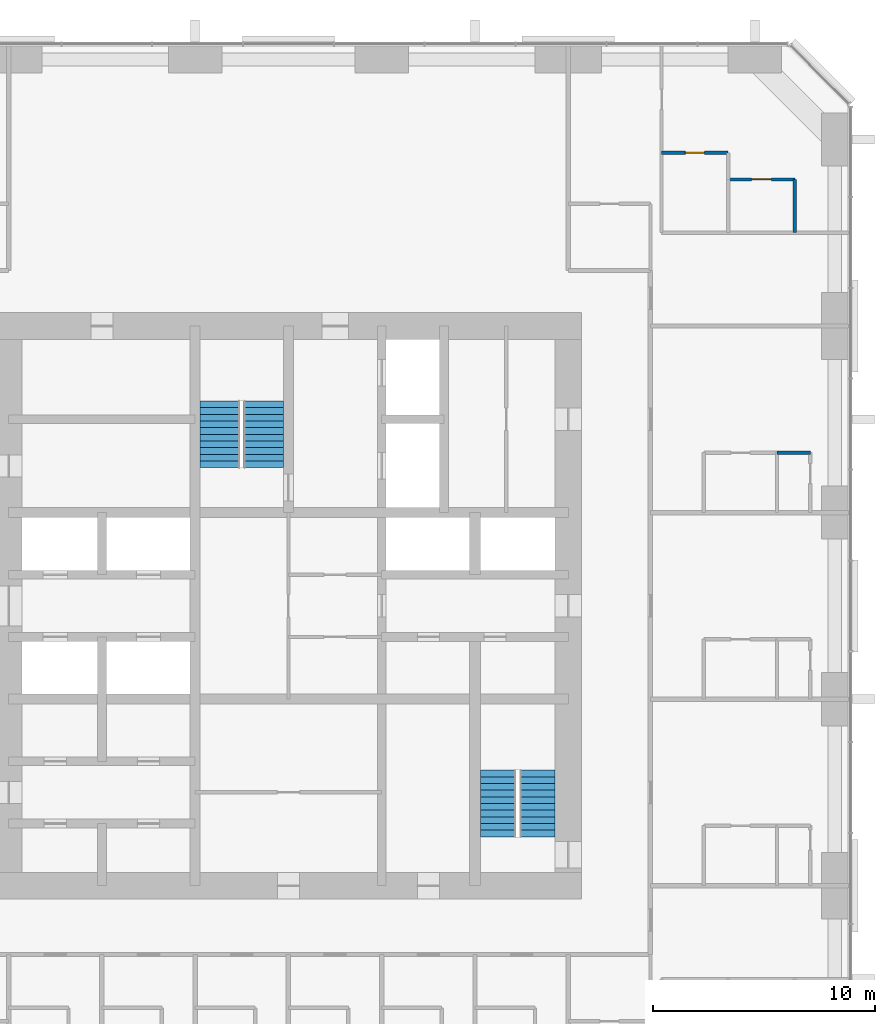
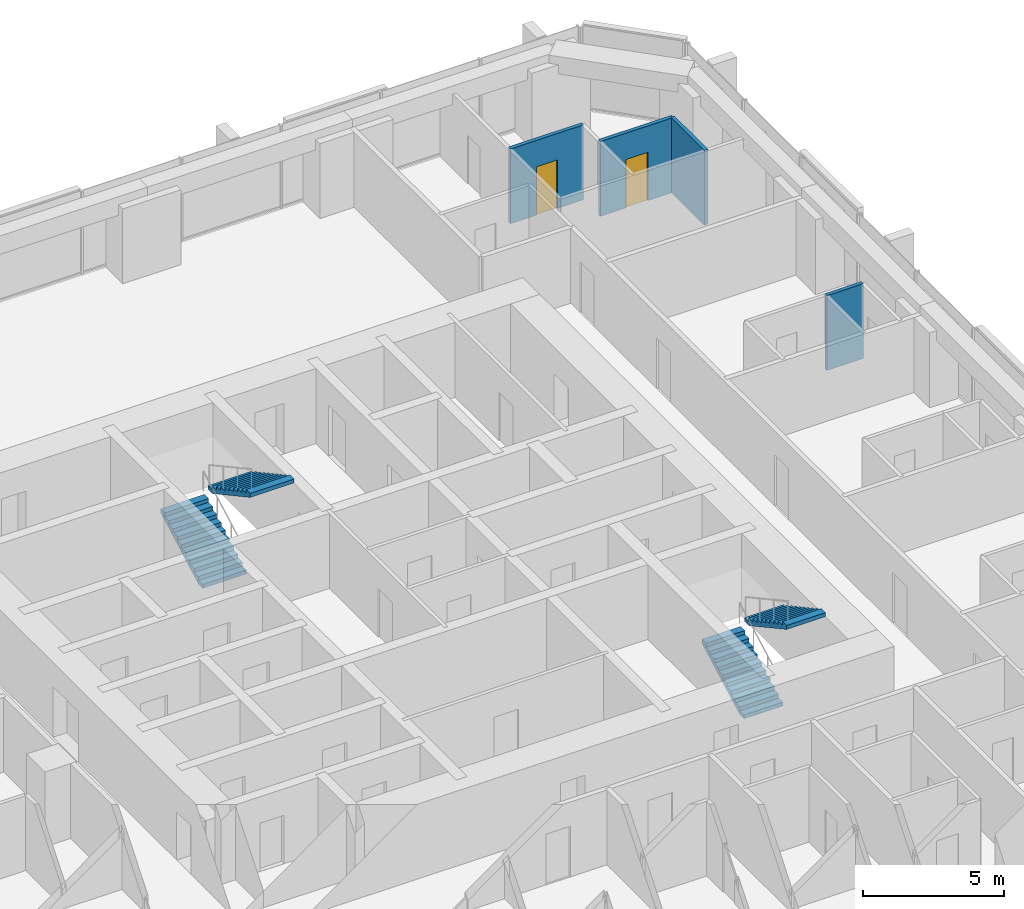
# One storey, part 13 of 14: 4 stair flights, 4 walls, 2 doors, 2 openings, 2 elements without a shape of their own.
"""IFC4 building model written with IfcOpenShell, lengths in metres."""

from ifc_helpers import new_model, si_unit, direction, frame, frame_2d, origin, place, context, subcontext, project, spatial, polyline, rectangle, outline, extrude, material, layer, layer_set, type_object, element, fill, aggregate, save


model = new_model("IFC4")

# Units and contexts
model_context = context("Model", 3, precision=1e-05, world=origin(), true_north=direction((0.0, 1.0)))
body_context = subcontext(model_context, "Body", "Model", "MODEL_VIEW")
ifc_project = project(units=[si_unit("LENGTHUNIT", "METRE"), si_unit("AREAUNIT", "SQUARE_METRE"), si_unit("VOLUMEUNIT", "CUBIC_METRE"), si_unit("PLANEANGLEUNIT", "RADIAN"), si_unit("MASSUNIT", "GRAM", prefix="KILO")], contexts=[model_context])

# Site, building, storey
site_placement = place(None, origin())
site = spatial("IfcSite", under=ifc_project, at=site_placement, CompositionType="ELEMENT")
building_placement = place(site_placement, origin())
building = spatial("IfcBuilding", under=site, at=building_placement, Name="Dunama Terrace Hotel", CompositionType="ELEMENT")
storey_placement = place(building_placement, frame((0.0, 0.0, 213.0)))
storey = spatial("IfcBuildingStorey", under=building, at=storey_placement, Name="L55", CompositionType="ELEMENT", Elevation=213.0)

# Wall, opening, door
ifc_material_1 = material(Name="Gypsum board partition", Category="masonry")
ifc_layer_1 = layer(ifc_material_1, 0.14990234375)
ifc_layer_set_1 = layer_set([ifc_layer_1], Name="Bathroom partition 150")
wall_type_1 = type_object("IfcWallType", Name="Bathroom partition 150", PredefinedType="PARTITIONING", material=ifc_layer_set_1)
wall_1_placement = place(storey_placement, frame((46.199951171875, 49.800048828125, 0.0), z_axis=(0.0, 0.0, 1.0), x_axis=(1.0, 0.0, 0.0)))
wall_1 = element("IfcWall", 1, at=wall_1_placement, inside=storey, type_object=wall_type_1, Name="Bathroom partition 150 L55", PredefinedType="PARTITIONING", context=body_context, shape_type="SweptSolid", body=[
    extrude(rectangle(XDim=3.0, YDim=0.14990234375, at=frame_2d((1.5, 0.0))), origin(), (0.0, 0.0, 1.0), 3.25),
])
opening_1_placement = place(wall_1_placement, frame((1.074951171875, 0.0, 0.0)))
opening_1 = element("IfcOpeningElement", 2, at=opening_1_placement, cuts=wall_1, Name="Opening L55-061", PredefinedType="OPENING", context=body_context, shape_type="SweptSolid", body=[
    extrude(rectangle(XDim=0.85009765625, YDim=2.10009765625, at=frame_2d((0.425048828125, 1.050048828125))), frame((0.0, 0.0849609375, 0.0), z_axis=(0.0, -1.0, 0.0), x_axis=(1.0, 0.0, 0.0)), (0.0, 0.0, 1.0), 0.169921875),
])
ifc_material_2 = material(Name="Timber door with steel frame", Category="steel")
door_type_1 = type_object("IfcDoorType", Name="Bathroom door 850", OperationType="SINGLE_SWING_LEFT", PredefinedType="DOOR", material=ifc_material_2)
door_1_placement = place(opening_1_placement, frame((0.85009765625, 0.0, 0.0), z_axis=(0.0, 0.0, 1.0), x_axis=(-1.0, 0.0, 0.0)))
door_1 = element("IfcDoor", 3, at=door_1_placement, inside=storey, type_object=door_type_1, Name="Door to en-suite bathroom L55-061, type D2", OperationType="SINGLE_SWING_LEFT", OverallHeight=2.10009765625, OverallWidth=0.85009765625, PredefinedType="DOOR", context=body_context, shape_type="SweptSolid", body=[
    extrude(rectangle(XDim=0.85009765625, YDim=2.10009765625, at=frame_2d((0.425048828125, 1.050048828125))), frame((0.0, 0.025146484375, 0.0), z_axis=(0.0, -1.0, 0.0), x_axis=(1.0, 0.0, 0.0)), (0.0, 0.0, 1.0), 0.050048828125),
])
fill(opening_1, door_1)

# Walls
ifc_material_3 = material(Name="Gypsum board partition", Category="masonry")
ifc_layer_2 = layer(ifc_material_3, 0.14990234375)
ifc_layer_set_2 = layer_set([ifc_layer_2], Name="Room partition 150")
wall_type_2 = type_object("IfcWallType", Name="Room partition 150", PredefinedType="PARTITIONING", material=ifc_layer_set_2)
wall_2_placement = place(storey_placement, frame((52.199951171875, 46.199951171875, 0.0), z_axis=(0.0, 0.0, 1.0), x_axis=(0.0, 1.0, 0.0)))
element("IfcWall", 4, at=wall_2_placement, inside=storey, type_object=wall_type_2, Name="Room partition 150 L55", PredefinedType="PARTITIONING", context=body_context, shape_type="SweptSolid", body=[
    extrude(rectangle(XDim=2.400146484375, YDim=0.14990234375, at=frame_2d((1.2001953125, 0.0))), origin(), (0.0, 0.0, 1.0), 3.25),
])
wall_3_placement = place(storey_placement, frame((51.39990234375, 36.300048828125, 0.0), z_axis=(0.0, 0.0, 1.0), x_axis=(1.0, 0.0, 0.0)))
element("IfcWall", 5, at=wall_3_placement, inside=storey, type_object=wall_type_2, Name="Room partition 150 L55", PredefinedType="PARTITIONING", context=body_context, shape_type="SweptSolid", body=[
    extrude(rectangle(XDim=1.5, YDim=0.14990234375, at=frame_2d((0.75, 0.0))), origin(), (0.0, 0.0, 1.0), 3.25),
])

# Wall, opening, door
wall_4_placement = place(storey_placement, frame((49.199951171875, 48.60009765625, 0.0), z_axis=(0.0, 0.0, 1.0), x_axis=(1.0, 0.0, 0.0)))
wall_4 = element("IfcWall", 6, at=wall_4_placement, inside=storey, type_object=wall_type_2, Name="Room partition 150 L55", PredefinedType="PARTITIONING", context=body_context, shape_type="SweptSolid", body=[
    extrude(rectangle(XDim=3.0, YDim=0.14990234375, at=frame_2d((1.5, 0.0))), origin(), (0.0, 0.0, 1.0), 3.25),
])
opening_2_placement = place(wall_4_placement, frame((1.050048828125, 0.0, 0.0)))
opening_2 = element("IfcOpeningElement", 7, at=opening_2_placement, cuts=wall_4, Name="Opening L55-062", PredefinedType="OPENING", context=body_context, shape_type="SweptSolid", body=[
    extrude(rectangle(XDim=0.89990234375, YDim=2.10009765625, at=frame_2d((0.449951171875, 1.050048828125))), frame((0.0, 0.0849609375, 0.0), z_axis=(0.0, -1.0, 0.0), x_axis=(1.0, 0.0, 0.0)), (0.0, 0.0, 1.0), 0.169921875),
])
ifc_material_4 = material(Name="Timber door with steel frame", Category="steel")
door_type_2 = type_object("IfcDoorType", Name="Suite internal door 900", OperationType="SINGLE_SWING_LEFT", PredefinedType="DOOR", material=ifc_material_4)
door_2_placement = place(opening_2_placement, frame((0.89990234375, 0.0, 0.0), z_axis=(0.0, 0.0, 1.0), x_axis=(-1.0, 0.0, 0.0)))
door_2 = element("IfcDoor", 8, at=door_2_placement, inside=storey, type_object=door_type_2, Name="Door to dressing room L55-062, type D16", OperationType="SINGLE_SWING_RIGHT", OverallHeight=2.10009765625, OverallWidth=0.89990234375, PredefinedType="DOOR", context=body_context, shape_type="SweptSolid", body=[
    extrude(rectangle(XDim=0.89990234375, YDim=2.10009765625, at=frame_2d((0.449951171875, 1.050048828125))), frame((0.0, 0.025146484375, 0.0), z_axis=(0.0, -1.0, 0.0), x_axis=(1.0, 0.0, 0.0)), (0.0, 0.0, 1.0), 0.050048828125),
])
fill(opening_2, door_2)

# Stair, stair flights
ifc_material_5 = material(Name="Concrete C40/50", Category="concrete")
stair_type_1 = type_object("IfcStairType", Name="Stair ST1-3600-1800", PredefinedType="HALF_TURN_STAIR", material=ifc_material_5)
stair_1_placement = place(storey_placement, origin())
stair_1 = element("IfcStair", 9, at=stair_1_placement, inside=storey, type_object=stair_type_1, Name="Stair ST1 L55", PredefinedType="HALF_TURN_STAIR")
ifc_material_6 = material(Name="Concrete C40/50", Category="concrete")
stair_flight_type_1 = type_object("IfcStairFlightType", Name="Stair flight ST1-3600-1800", PredefinedType="STRAIGHT", material=ifc_material_6)
stair_flight_1_placement = place(storey_placement, frame((26.324951171875, 35.625, 0.0), z_axis=(0.0, 0.0, 1.0), x_axis=(0.0, 1.0, 0.0)))
stair_flight_1 = element("IfcStairFlight", 10, at=stair_flight_1_placement, type_object=stair_flight_type_1, Name="ST1 flight 1", NumberOfRisers=11, NumberOfTreads=10, PredefinedType="STRAIGHT", RiserHeight=0.163636364, TreadLength=0.3, context=body_context, shape_type="SweptSolid", body=[
    extrude(outline(polyline([(0.0, 0.0), (0.0, 0.16357421875), (0.300048828125, 0.16357421875), (0.300048828125, 0.327392578125), (0.60009765625, 0.327392578125), (0.60009765625, 0.490966796875), (0.89990234375, 0.490966796875), (0.89990234375, 0.654541015625), (1.199951171875, 0.654541015625), (1.199951171875, 0.818115234375), (1.5, 0.818115234375), (1.5, 0.98193359375), (1.800048828125, 0.98193359375), (1.800048828125, 1.1455078125), (2.10009765625, 1.1455078125), (2.10009765625, 1.30908203125), (2.39990234375, 1.30908203125), (2.39990234375, 1.47265625), (2.699951171875, 1.47265625), (2.699951171875, 1.636474609375), (3.0, 1.636474609375), (3.0, 1.800048828125), (3.0, 1.465576171875), (0.31298828125, 0.0), (0.0, 0.0)])), frame((0.0, 0.89990234375, 0.0), z_axis=(0.0, -1.0, 0.0), x_axis=(1.0, 0.0, 0.0)), (0.0, 0.0, 1.0), 1.800048828125),
])
stair_flight_2_placement = place(storey_placement, frame((28.27490234375, 38.625, 1.800048828125), z_axis=(0.0, 0.0, 1.0), x_axis=(0.0, -1.0, 0.0)))
stair_flight_2 = element("IfcStairFlight", 11, at=stair_flight_2_placement, type_object=stair_flight_type_1, Name="ST1 flight 2", NumberOfRisers=11, NumberOfTreads=10, PredefinedType="STRAIGHT", RiserHeight=0.163636364, TreadLength=0.3, context=body_context, shape_type="SweptSolid", body=[
    extrude(outline(polyline([(0.0, 0.0), (0.0, 0.16357421875), (0.300048828125, 0.16357421875), (0.300048828125, 0.327392578125), (0.60009765625, 0.327392578125), (0.60009765625, 0.490966796875), (0.89990234375, 0.490966796875), (0.89990234375, 0.654541015625), (1.199951171875, 0.654541015625), (1.199951171875, 0.818115234375), (1.5, 0.818115234375), (1.5, 0.98193359375), (1.800048828125, 0.98193359375), (1.800048828125, 1.1455078125), (2.10009765625, 1.1455078125), (2.10009765625, 1.30908203125), (2.39990234375, 1.30908203125), (2.39990234375, 1.47265625), (2.699951171875, 1.47265625), (2.699951171875, 1.636474609375), (3.0, 1.636474609375), (3.0, 1.800048828125), (3.0, 1.465576171875), (0.31298828125, 0.0), (0.0, 0.0)])), frame((0.0, 0.89990234375, 0.0), z_axis=(0.0, -1.0, 0.0), x_axis=(1.0, 0.0, 0.0)), (0.0, 0.0, 1.0), 1.800048828125),
])
aggregate(stair_1, [stair_flight_1, stair_flight_2])

ifc_material_7 = material(Name="Concrete C40/50", Category="concrete")
stair_type_2 = type_object("IfcStairType", Name="Stair ST2-3600-1600", PredefinedType="HALF_TURN_STAIR", material=ifc_material_7)
stair_2_placement = place(storey_placement, origin())
stair_2 = element("IfcStair", 12, at=stair_2_placement, inside=storey, type_object=stair_type_2, Name="Stair ST2 L55", PredefinedType="HALF_TURN_STAIR")
ifc_material_8 = material(Name="Concrete C40/50", Category="concrete")
stair_flight_type_2 = type_object("IfcStairFlightType", Name="Stair flight ST2-3600-1600", PredefinedType="STRAIGHT", material=ifc_material_8)
stair_flight_3_placement = place(storey_placement, frame((38.85009765625, 19.0, 0.0), z_axis=(0.0, 0.0, 1.0), x_axis=(0.0, 1.0, 0.0)))
stair_flight_3 = element("IfcStairFlight", 13, at=stair_flight_3_placement, type_object=stair_flight_type_2, Name="ST2 flight 1", NumberOfRisers=11, NumberOfTreads=10, PredefinedType="STRAIGHT", RiserHeight=0.163636364, TreadLength=0.3, context=body_context, shape_type="SweptSolid", body=[
    extrude(outline(polyline([(0.0, 0.0), (0.0, 0.16357421875), (0.300048828125, 0.16357421875), (0.300048828125, 0.327392578125), (0.60009765625, 0.327392578125), (0.60009765625, 0.490966796875), (0.89990234375, 0.490966796875), (0.89990234375, 0.654541015625), (1.199951171875, 0.654541015625), (1.199951171875, 0.818115234375), (1.5, 0.818115234375), (1.5, 0.98193359375), (1.800048828125, 0.98193359375), (1.800048828125, 1.1455078125), (2.10009765625, 1.1455078125), (2.10009765625, 1.30908203125), (2.39990234375, 1.30908203125), (2.39990234375, 1.47265625), (2.699951171875, 1.47265625), (2.699951171875, 1.636474609375), (3.0, 1.636474609375), (3.0, 1.800048828125), (3.0, 1.465576171875), (0.31298828125, 0.0), (0.0, 0.0)])), frame((0.0, 0.800048828125, 0.0), z_axis=(0.0, -1.0, 0.0), x_axis=(1.0, 0.0, 0.0)), (0.0, 0.0, 1.0), 1.60009765625),
])
stair_flight_4_placement = place(storey_placement, frame((40.60009765625, 22.0, 1.800048828125), z_axis=(0.0, 0.0, 1.0), x_axis=(0.0, -1.0, 0.0)))
stair_flight_4 = element("IfcStairFlight", 14, at=stair_flight_4_placement, type_object=stair_flight_type_2, Name="ST2 flight 2", NumberOfRisers=11, NumberOfTreads=10, PredefinedType="STRAIGHT", RiserHeight=0.163636364, TreadLength=0.3, context=body_context, shape_type="SweptSolid", body=[
    extrude(outline(polyline([(0.0, 0.0), (0.0, 0.16357421875), (0.300048828125, 0.16357421875), (0.300048828125, 0.327392578125), (0.60009765625, 0.327392578125), (0.60009765625, 0.490966796875), (0.89990234375, 0.490966796875), (0.89990234375, 0.654541015625), (1.199951171875, 0.654541015625), (1.199951171875, 0.818115234375), (1.5, 0.818115234375), (1.5, 0.98193359375), (1.800048828125, 0.98193359375), (1.800048828125, 1.1455078125), (2.10009765625, 1.1455078125), (2.10009765625, 1.30908203125), (2.39990234375, 1.30908203125), (2.39990234375, 1.47265625), (2.699951171875, 1.47265625), (2.699951171875, 1.636474609375), (3.0, 1.636474609375), (3.0, 1.800048828125), (3.0, 1.465576171875), (0.31298828125, 0.0), (0.0, 0.0)])), frame((0.0, 0.800048828125, 0.0), z_axis=(0.0, -1.0, 0.0), x_axis=(1.0, 0.0, 0.0)), (0.0, 0.0, 1.0), 1.60009765625),
])
aggregate(stair_2, [stair_flight_3, stair_flight_4])

save(model, "model.ifc")
